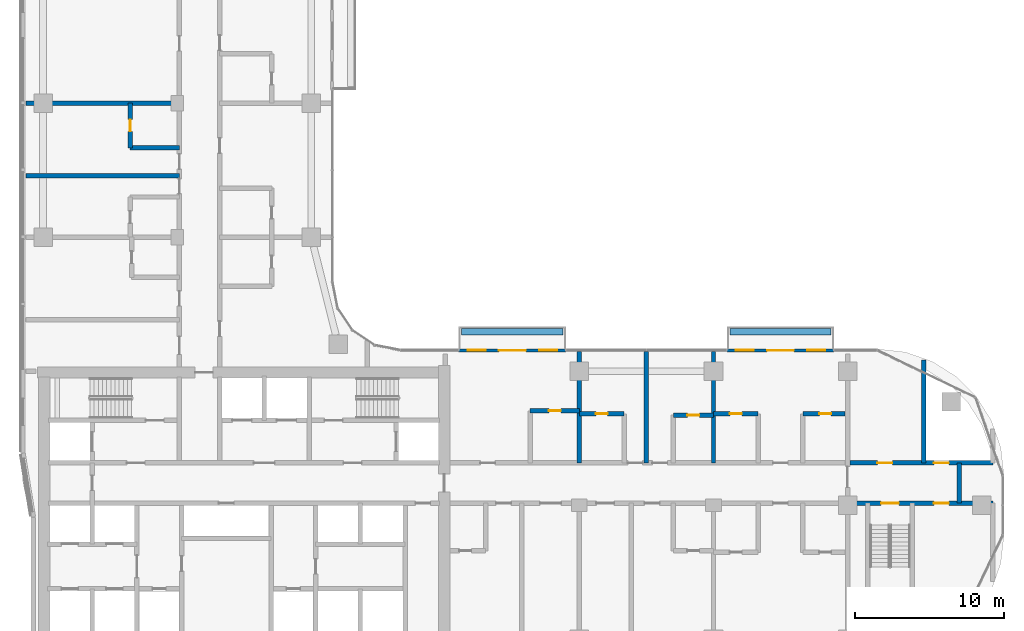
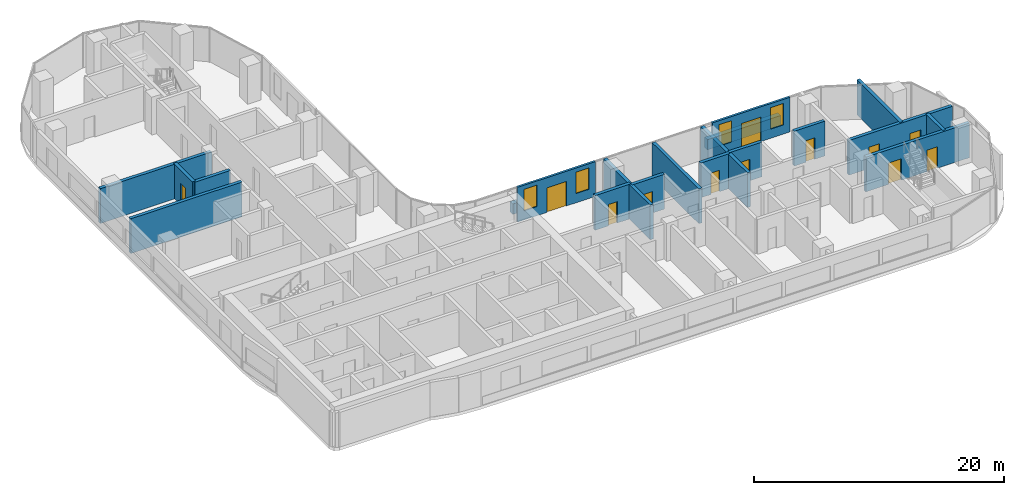
# One storey, part 10 of 21: 20 walls, 12 doors, 4 windows, 16 openings.
"""IFC4 building model written with IfcOpenShell, lengths in metres."""

from ifc_helpers import new_model, si_unit, direction, frame, frame_2d, origin, origin_2d, place, context, subcontext, project, spatial, rectangle, extrude, material, layer, layer_set, type_object, element, fill, save


model = new_model("IFC4")

# Units and contexts
model_context = context("Model", 3, precision=1e-05, world=origin(), true_north=direction((0.0, 1.0)))
body_context = subcontext(model_context, "Body", "Model", "MODEL_VIEW")
ifc_project = project(units=[si_unit("LENGTHUNIT", "METRE"), si_unit("AREAUNIT", "SQUARE_METRE"), si_unit("VOLUMEUNIT", "CUBIC_METRE"), si_unit("PLANEANGLEUNIT", "RADIAN"), si_unit("MASSUNIT", "GRAM", prefix="KILO")], contexts=[model_context])

# Site, building, storey
site_placement = place(None, origin())
site = spatial("IfcSite", under=ifc_project, at=site_placement, CompositionType="ELEMENT")
building_placement = place(site_placement, origin())
building = spatial("IfcBuilding", under=site, at=building_placement, Name="Ogive Portal Towers", CompositionType="ELEMENT")
storey_placement = place(building_placement, frame((0.0, 0.0, 109.300048828125)))
storey = spatial("IfcBuildingStorey", under=building, at=storey_placement, Name="L26", CompositionType="ELEMENT", Elevation=109.300048828125)

# Wall, openings, door, windows
ifc_material_1 = material(Name="Limestone cladding on lightweight block wall", Category="masonry")
ifc_layer_1 = layer(ifc_material_1, 0.199951171875)
ifc_layer_set_1 = layer_set([ifc_layer_1], Name="BALCONY BAY WALL 200")
wall_type_1 = type_object("IfcWallType", Name="BALCONY BAY WALL 200", PredefinedType="SOLIDWALL", material=ifc_layer_set_1)
wall_1_placement = place(storey_placement, frame((77.39990234375, 40.89990234375, 0.0), z_axis=(0.0, 0.0, 1.0), x_axis=(1.0, 0.0, 0.0)))
wall_1 = element("IfcWall", 1, at=wall_1_placement, inside=storey, type_object=wall_type_1, Name="A:L26:f12:bay0", PredefinedType="SOLIDWALL", context=body_context, shape_type="SweptSolid", body=[
    extrude(rectangle(XDim=7.2001953125, YDim=0.199951171875, at=frame_2d((3.60009765625, 0.0))), origin(), (0.0, 0.0, 1.0), 3.39990234375),
])
opening_1_placement = place(wall_1_placement, frame((2.699951171875, 0.0, 0.0)))
opening_1 = element("IfcOpeningElement", 2, at=opening_1_placement, cuts=wall_1, Name="Opening DX034", PredefinedType="OPENING", context=body_context, shape_type="SweptSolid", body=[
    extrude(rectangle(XDim=1.800048828125, YDim=2.39990234375, at=frame_2d((0.89990234375, 1.199951171875))), frame((0.0, 0.10986328125, 0.0), z_axis=(0.0, -1.0, 0.0), x_axis=(1.0, 0.0, 0.0)), (0.0, 0.0, 1.0), 0.219970703125),
])
opening_2_placement = place(wall_1_placement, frame((5.39990234375, 0.0, 0.89990234375)))
opening_2 = element("IfcOpeningElement", 3, at=opening_2_placement, cuts=wall_1, Name="Opening WN2", PredefinedType="OPENING", context=body_context, shape_type="SweptSolid", body=[
    extrude(rectangle(XDim=1.199951171875, YDim=2.10009765625, at=frame_2d((0.60009765625, 1.050048828125))), frame((0.0, 0.10986328125, 0.0), z_axis=(0.0, -1.0, 0.0), x_axis=(1.0, 0.0, 0.0)), (0.0, 0.0, 1.0), 0.219970703125),
])
opening_3_placement = place(wall_1_placement, frame((0.60009765625, 0.0, 0.89990234375)))
opening_3 = element("IfcOpeningElement", 4, at=opening_3_placement, cuts=wall_1, Name="Opening WN2", PredefinedType="OPENING", context=body_context, shape_type="SweptSolid", body=[
    extrude(rectangle(XDim=1.199951171875, YDim=2.10009765625, at=frame_2d((0.60009765625, 1.050048828125))), frame((0.0, 0.10986328125, 0.0), z_axis=(0.0, -1.0, 0.0), x_axis=(1.0, 0.0, 0.0)), (0.0, 0.0, 1.0), 0.219970703125),
])
ifc_material_2 = material(Name="Aluminium 6063 anodised", Category="aluminium")
door_type_1 = type_object("IfcDoorType", Name="BALCONY DOOR 1800x2400", OperationType="DOUBLE_DOOR_SINGLE_SWING", PredefinedType="DOOR", material=ifc_material_2)
door_1_placement = place(opening_1_placement, origin())
door_1 = element("IfcDoor", 5, at=door_1_placement, inside=storey, type_object=door_type_1, Name="A:L26:f12:bay0/o0", OperationType="SINGLE_SWING_LEFT", OverallHeight=2.39990234375, OverallWidth=1.800048828125, PredefinedType="DOOR", context=body_context, shape_type="SweptSolid", body=[
    extrude(rectangle(XDim=1.800048828125, YDim=2.39990234375, at=frame_2d((0.89990234375, 1.199951171875))), frame((0.0, 0.02490234375, 0.0), z_axis=(0.0, -1.0, 0.0), x_axis=(1.0, 0.0, 0.0)), (0.0, 0.0, 1.0), 0.050048828125),
])
fill(opening_1, door_1)
ifc_material_3 = material(Name="Glass, clear low-iron insulated glazing", Category="glass")
window_type = type_object("IfcWindowType", Name="WINDOW BALCONY BAY 1200x2100", PartitioningType="SINGLE_PANEL", PredefinedType="WINDOW", material=ifc_material_3)
window_1_placement = place(opening_2_placement, origin())
window_1 = element("IfcWindow", 6, at=window_1_placement, inside=storey, type_object=window_type, Name="A:L26:f12:bay0/o1", OverallHeight=2.10009765625, OverallWidth=1.199951171875, PartitioningType="SINGLE_PANEL", PredefinedType="WINDOW", context=body_context, shape_type="SweptSolid", body=[
    extrude(rectangle(XDim=1.199951171875, YDim=2.10009765625, at=frame_2d((0.60009765625, 1.050048828125))), frame((0.0, 0.030029296875, 0.0), z_axis=(0.0, -1.0, 0.0), x_axis=(1.0, 0.0, 0.0)), (0.0, 0.0, 1.0), 0.06005859375),
])
fill(opening_2, window_1)
window_2_placement = place(opening_3_placement, origin())
window_2 = element("IfcWindow", 7, at=window_2_placement, inside=storey, type_object=window_type, Name="A:L26:f12:bay0/o2", OverallHeight=2.10009765625, OverallWidth=1.199951171875, PartitioningType="SINGLE_PANEL", PredefinedType="WINDOW", context=body_context, shape_type="SweptSolid", body=[
    extrude(rectangle(XDim=1.199951171875, YDim=2.10009765625, at=frame_2d((0.60009765625, 1.050048828125))), frame((0.0, 0.030029296875, 0.0), z_axis=(0.0, -1.0, 0.0), x_axis=(1.0, 0.0, 0.0)), (0.0, 0.0, 1.0), 0.06005859375),
])
fill(opening_3, window_2)

wall_2_placement = place(storey_placement, frame((59.39990234375, 40.89990234375, 0.0), z_axis=(0.0, 0.0, 1.0), x_axis=(1.0, 0.0, 0.0)))
wall_2 = element("IfcWall", 8, at=wall_2_placement, inside=storey, type_object=wall_type_1, Name="A:L26:f12:bay1", PredefinedType="SOLIDWALL", context=body_context, shape_type="SweptSolid", body=[
    extrude(rectangle(XDim=7.2001953125, YDim=0.199951171875, at=frame_2d((3.60009765625, 0.0))), origin(), (0.0, 0.0, 1.0), 3.39990234375),
])
opening_4_placement = place(wall_2_placement, frame((2.699951171875, 0.0, 0.0)))
opening_4 = element("IfcOpeningElement", 9, at=opening_4_placement, cuts=wall_2, Name="Opening DX035", PredefinedType="OPENING", context=body_context, shape_type="SweptSolid", body=[
    extrude(rectangle(XDim=1.800048828125, YDim=2.39990234375, at=frame_2d((0.89990234375, 1.199951171875))), frame((0.0, 0.10986328125, 0.0), z_axis=(0.0, -1.0, 0.0), x_axis=(1.0, 0.0, 0.0)), (0.0, 0.0, 1.0), 0.219970703125),
])
opening_5_placement = place(wall_2_placement, frame((5.39990234375, 0.0, 0.89990234375)))
opening_5 = element("IfcOpeningElement", 10, at=opening_5_placement, cuts=wall_2, Name="Opening WN2", PredefinedType="OPENING", context=body_context, shape_type="SweptSolid", body=[
    extrude(rectangle(XDim=1.199951171875, YDim=2.10009765625, at=frame_2d((0.60009765625, 1.050048828125))), frame((0.0, 0.10986328125, 0.0), z_axis=(0.0, -1.0, 0.0), x_axis=(1.0, 0.0, 0.0)), (0.0, 0.0, 1.0), 0.219970703125),
])
opening_6_placement = place(wall_2_placement, frame((0.60009765625, 0.0, 0.89990234375)))
opening_6 = element("IfcOpeningElement", 11, at=opening_6_placement, cuts=wall_2, Name="Opening WN2", PredefinedType="OPENING", context=body_context, shape_type="SweptSolid", body=[
    extrude(rectangle(XDim=1.199951171875, YDim=2.10009765625, at=frame_2d((0.60009765625, 1.050048828125))), frame((0.0, 0.10986328125, 0.0), z_axis=(0.0, -1.0, 0.0), x_axis=(1.0, 0.0, 0.0)), (0.0, 0.0, 1.0), 0.219970703125),
])
door_2_placement = place(opening_4_placement, origin())
door_2 = element("IfcDoor", 12, at=door_2_placement, inside=storey, type_object=door_type_1, Name="A:L26:f12:bay1/o0", OperationType="SINGLE_SWING_LEFT", OverallHeight=2.39990234375, OverallWidth=1.800048828125, PredefinedType="DOOR", context=body_context, shape_type="SweptSolid", body=[
    extrude(rectangle(XDim=1.800048828125, YDim=2.39990234375, at=frame_2d((0.89990234375, 1.199951171875))), frame((0.0, 0.02490234375, 0.0), z_axis=(0.0, -1.0, 0.0), x_axis=(1.0, 0.0, 0.0)), (0.0, 0.0, 1.0), 0.050048828125),
])
fill(opening_4, door_2)
window_3_placement = place(opening_5_placement, origin())
window_3 = element("IfcWindow", 13, at=window_3_placement, inside=storey, type_object=window_type, Name="A:L26:f12:bay1/o1", OverallHeight=2.10009765625, OverallWidth=1.199951171875, PartitioningType="SINGLE_PANEL", PredefinedType="WINDOW", context=body_context, shape_type="SweptSolid", body=[
    extrude(rectangle(XDim=1.199951171875, YDim=2.10009765625, at=frame_2d((0.60009765625, 1.050048828125))), frame((0.0, 0.030029296875, 0.0), z_axis=(0.0, -1.0, 0.0), x_axis=(1.0, 0.0, 0.0)), (0.0, 0.0, 1.0), 0.06005859375),
])
fill(opening_5, window_3)
window_4_placement = place(opening_6_placement, origin())
window_4 = element("IfcWindow", 14, at=window_4_placement, inside=storey, type_object=window_type, Name="A:L26:f12:bay1/o2", OverallHeight=2.10009765625, OverallWidth=1.199951171875, PartitioningType="SINGLE_PANEL", PredefinedType="WINDOW", context=body_context, shape_type="SweptSolid", body=[
    extrude(rectangle(XDim=1.199951171875, YDim=2.10009765625, at=frame_2d((0.60009765625, 1.050048828125))), frame((0.0, 0.030029296875, 0.0), z_axis=(0.0, -1.0, 0.0), x_axis=(1.0, 0.0, 0.0)), (0.0, 0.0, 1.0), 0.06005859375),
])
fill(opening_6, window_4)

# Walls
ifc_material_4 = material(Name="Concrete C40/50", Category="concrete")
ifc_layer_2 = layer(ifc_material_4, 0.449951171875)
ifc_layer_set_2 = layer_set([ifc_layer_2], Name="PLANTER WALL 450")
wall_type_2 = type_object("IfcWallType", Name="PLANTER WALL 450", PredefinedType="SOLIDWALL", material=ifc_layer_set_2)
for number, where, z_axis, x_axis, name in (
    (15, (63.0, 42.155029296875, 0.0), (0.0, 0.0, 1.0), (1.0, 0.0, 0.0), "Planter T1"),
    (16, (81.0, 42.155029296875, 0.0), (0.0, 0.0, 1.0), (1.0, 0.0, 0.0), "Planter T3"),
):
    element("IfcWall", number, at=place(storey_placement, frame(where, z_axis=z_axis, x_axis=x_axis)), inside=storey, type_object=wall_type_2, Name=name, PredefinedType="SOLIDWALL", context=body_context, shape_type="SweptSolid", body=[
        extrude(rectangle(XDim=6.800048828125, YDim=0.449951171875, at=origin_2d()), origin(), (0.0, 0.0, 1.0), 1.0),
    ])

# Wall, openings, doors
ifc_material_5 = material(Name="Concrete C50/60", Category="concrete")
ifc_layer_3 = layer(ifc_material_5, 0.300048828125)
ifc_layer_set_3 = layer_set([ifc_layer_3], Name="STAIR WALL 300 C50")
wall_type_3 = type_object("IfcWallType", Name="STAIR WALL 300 C50", PredefinedType="SHEAR", material=ifc_layer_set_3)
wall_3_placement = place(storey_placement, frame((85.669921875, 30.64990234375, 0.0), z_axis=(0.0, 0.0, 1.0), x_axis=(1.0, 0.0, 0.0)))
wall_3 = element("IfcWall", 17, at=wall_3_placement, inside=storey, type_object=wall_type_3, Name="Stair wall ST-A4 L26", PredefinedType="SHEAR", context=body_context, shape_type="SweptSolid", body=[
    extrude(rectangle(XDim=9.580078125, YDim=0.300048828125, at=frame_2d((4.7900390625, 0.0))), origin(), (0.0, 0.0, 1.0), 3.39990234375),
])
opening_7_placement = place(wall_3_placement, frame((2.080078125, 0.0, 0.0)))
opening_7 = element("IfcOpeningElement", 18, at=opening_7_placement, cuts=wall_3, Name="Opening D09-058", PredefinedType="OPENING", context=body_context, shape_type="SweptSolid", body=[
    extrude(rectangle(XDim=1.199951171875, YDim=2.10009765625, at=frame_2d((0.60009765625, 1.050048828125))), frame((0.0, 0.16015625, 0.0), z_axis=(0.0, -1.0, 0.0), x_axis=(1.0, 0.0, 0.0)), (0.0, 0.0, 1.0), 0.320068359375),
])
opening_8_placement = place(wall_3_placement, frame((5.6298828125, 0.0, 0.0)))
opening_8 = element("IfcOpeningElement", 19, at=opening_8_placement, cuts=wall_3, Name="Opening D09-061", PredefinedType="OPENING", context=body_context, shape_type="SweptSolid", body=[
    extrude(rectangle(XDim=1.0, YDim=2.10009765625, at=frame_2d((0.5, 1.050048828125))), frame((0.0, 0.16015625, 0.0), z_axis=(0.0, -1.0, 0.0), x_axis=(1.0, 0.0, 0.0)), (0.0, 0.0, 1.0), 0.320068359375),
])
ifc_material_6 = material(Name="Steel fire door", Category="steel")
door_type_2 = type_object("IfcDoorType", Name="DT-SERVICE-1000x2100-FD90S", OperationType="SINGLE_SWING_LEFT", PredefinedType="DOOR", material=ifc_material_6)
door_3_placement = place(opening_8_placement, origin())
door_3 = element("IfcDoor", 20, at=door_3_placement, inside=storey, type_object=door_type_2, Name="Door D09-061", OperationType="SINGLE_SWING_LEFT", OverallHeight=2.10009765625, OverallWidth=1.0, PredefinedType="DOOR", context=body_context, shape_type="SweptSolid", body=[
    extrude(rectangle(XDim=1.0, YDim=2.10009765625, at=frame_2d((0.5, 1.050048828125))), frame((0.0, 0.02490234375, 0.0), z_axis=(0.0, -1.0, 0.0), x_axis=(1.0, 0.0, 0.0)), (0.0, 0.0, 1.0), 0.050048828125),
])
fill(opening_8, door_3)
door_type_3 = type_object("IfcDoorType", Name="DT-STAIR-1200x2100-FD90S", OperationType="SINGLE_SWING_LEFT", PredefinedType="DOOR", material=ifc_material_6)
door_4_placement = place(opening_7_placement, origin())
door_4 = element("IfcDoor", 21, at=door_4_placement, inside=storey, type_object=door_type_3, Name="Door D09-058", OperationType="SINGLE_SWING_LEFT", OverallHeight=2.10009765625, OverallWidth=1.199951171875, PredefinedType="DOOR", context=body_context, shape_type="SweptSolid", body=[
    extrude(rectangle(XDim=1.199951171875, YDim=2.10009765625, at=frame_2d((0.60009765625, 1.050048828125))), frame((0.0, 0.02490234375, 0.0), z_axis=(0.0, -1.0, 0.0), x_axis=(1.0, 0.0, 0.0)), (0.0, 0.0, 1.0), 0.050048828125),
])
fill(opening_7, door_4)

ifc_material_7 = material(Name="Gypsum board partition on steel studs", Category="steel")
ifc_layer_4 = layer(ifc_material_7, 0.300048828125)
ifc_layer_set_4 = layer_set([ifc_layer_4], Name="WT-PART-300-EI 120")
wall_type_4 = type_object("IfcWallType", Name="WT-PART-300-EI 120", PredefinedType="PARTITIONING", material=ifc_layer_set_4)
wall_4_placement = place(storey_placement, frame((85.669921875, 33.35009765625, 0.0), z_axis=(0.0, 0.0, 1.0), x_axis=(1.0, 0.0, 0.0)))
wall_4 = element("IfcWall", 22, at=wall_4_placement, inside=storey, type_object=wall_type_4, Name="Wall L26:w009", PredefinedType="PARTITIONING", context=body_context, shape_type="SweptSolid", body=[
    extrude(rectangle(XDim=9.580078125, YDim=0.300048828125, at=frame_2d((4.7900390625, 0.0))), origin(), (0.0, 0.0, 1.0), 3.39990234375),
])
opening_9_placement = place(wall_4_placement, frame((1.830078125, 0.0, 0.0)))
opening_9 = element("IfcOpeningElement", 23, at=opening_9_placement, cuts=wall_4, Name="Opening D09-059", PredefinedType="OPENING", context=body_context, shape_type="SweptSolid", body=[
    extrude(rectangle(XDim=1.0, YDim=2.10009765625, at=frame_2d((0.5, 1.050048828125))), frame((0.0, 0.16015625, 0.0), z_axis=(0.0, -1.0, 0.0), x_axis=(1.0, 0.0, 0.0)), (0.0, 0.0, 1.0), 0.320068359375),
])
opening_10_placement = place(wall_4_placement, frame((5.6298828125, 0.0, 0.0)))
opening_10 = element("IfcOpeningElement", 24, at=opening_10_placement, cuts=wall_4, Name="Opening D09-060", PredefinedType="OPENING", context=body_context, shape_type="SweptSolid", body=[
    extrude(rectangle(XDim=1.0, YDim=2.10009765625, at=frame_2d((0.5, 1.050048828125))), frame((0.0, 0.16015625, 0.0), z_axis=(0.0, -1.0, 0.0), x_axis=(1.0, 0.0, 0.0)), (0.0, 0.0, 1.0), 0.320068359375),
])
door_5_placement = place(opening_9_placement, origin())
door_5 = element("IfcDoor", 25, at=door_5_placement, inside=storey, type_object=door_type_2, Name="Door D09-059", OperationType="SINGLE_SWING_LEFT", OverallHeight=2.10009765625, OverallWidth=1.0, PredefinedType="DOOR", context=body_context, shape_type="SweptSolid", body=[
    extrude(rectangle(XDim=1.0, YDim=2.10009765625, at=frame_2d((0.5, 1.050048828125))), frame((0.0, 0.02490234375, 0.0), z_axis=(0.0, -1.0, 0.0), x_axis=(1.0, 0.0, 0.0)), (0.0, 0.0, 1.0), 0.050048828125),
])
fill(opening_9, door_5)
door_6_placement = place(opening_10_placement, origin())
door_6 = element("IfcDoor", 26, at=door_6_placement, inside=storey, type_object=door_type_2, Name="Riser access door D09-060", OperationType="SINGLE_SWING_RIGHT", OverallHeight=2.10009765625, OverallWidth=1.0, PredefinedType="DOOR", context=body_context, shape_type="SweptSolid", body=[
    extrude(rectangle(XDim=1.0, YDim=2.10009765625, at=frame_2d((0.5, 1.050048828125))), frame((0.0, 0.02490234375, 0.0), z_axis=(0.0, -1.0, 0.0), x_axis=(1.0, 0.0, 0.0)), (0.0, 0.0, 1.0), 0.050048828125),
])
fill(opening_10, door_6)

# Wall
wall_5_placement = place(storey_placement, frame((93.0, 30.64990234375, 0.0), z_axis=(0.0, 0.0, 1.0), x_axis=(0.0, 1.0, 0.0)))
element("IfcWall", 27, at=wall_5_placement, inside=storey, type_object=wall_type_4, Name="Wall L26:w065", PredefinedType="PARTITIONING", context=body_context, shape_type="SweptSolid", body=[
    extrude(rectangle(XDim=2.7001953125, YDim=0.300048828125, at=frame_2d((1.35009765625, 0.0))), origin(), (0.0, 0.0, 1.0), 3.39990234375),
])

# Wall, opening, door
ifc_layer_5 = layer(ifc_material_7, 0.300048828125)
ifc_layer_set_5 = layer_set([ifc_layer_5], Name="WT-PART-300-EI 60")
wall_type_5 = type_object("IfcWallType", Name="WT-PART-300-EI 60", PredefinedType="PARTITIONING", material=ifc_layer_set_5)
wall_6_placement = place(storey_placement, frame((73.800048828125, 36.550048828125, 0.0), z_axis=(0.0, 0.0, 1.0), x_axis=(1.0, 0.0, 0.0)))
wall_6 = element("IfcWall", 28, at=wall_6_placement, inside=storey, type_object=wall_type_5, Name="Wall L26:w010", PredefinedType="PARTITIONING", context=body_context, shape_type="SweptSolid", body=[
    extrude(rectangle(XDim=2.699951171875, YDim=0.300048828125, at=frame_2d((1.35009765625, 0.0))), origin(), (0.0, 0.0, 1.0), 3.39990234375),
])
opening_11_placement = place(wall_6_placement, frame((0.949951171875, 0.0, 0.0)))
opening_11 = element("IfcOpeningElement", 29, at=opening_11_placement, cuts=wall_6, Name="Opening D09-031", PredefinedType="OPENING", context=body_context, shape_type="SweptSolid", body=[
    extrude(rectangle(XDim=0.800048828125, YDim=2.10009765625, at=frame_2d((0.39990234375, 1.050048828125))), frame((0.0, 0.16015625, 0.0), z_axis=(0.0, -1.0, 0.0), x_axis=(1.0, 0.0, 0.0)), (0.0, 0.0, 1.0), 0.320068359375),
])
door_type_4 = type_object("IfcDoorType", Name="DT-BATH-800x2100-FD60S", OperationType="SINGLE_SWING_LEFT", PredefinedType="DOOR", material=ifc_material_6)
door_7_placement = place(opening_11_placement, origin())
door_7 = element("IfcDoor", 30, at=door_7_placement, inside=storey, type_object=door_type_4, Name="Door D09-031", OperationType="SINGLE_SWING_RIGHT", OverallHeight=2.10009765625, OverallWidth=0.800048828125, PredefinedType="DOOR", context=body_context, shape_type="SweptSolid", body=[
    extrude(rectangle(XDim=0.800048828125, YDim=2.10009765625, at=frame_2d((0.39990234375, 1.050048828125))), frame((0.0, 0.02490234375, 0.0), z_axis=(0.0, -1.0, 0.0), x_axis=(1.0, 0.0, 0.0)), (0.0, 0.0, 1.0), 0.050048828125),
])
fill(opening_11, door_7)

wall_7_placement = place(storey_placement, frame((67.5, 36.64990234375, 0.0), z_axis=(0.0, 0.0, 1.0), x_axis=(1.0, 0.0, 0.0)))
wall_7 = element("IfcWall", 31, at=wall_7_placement, inside=storey, type_object=wall_type_5, Name="Wall L26:w011", PredefinedType="PARTITIONING", context=body_context, shape_type="SweptSolid", body=[
    extrude(rectangle(XDim=3.0, YDim=0.300048828125, at=frame_2d((1.5, 0.0))), origin(), (0.0, 0.0, 1.0), 3.39990234375),
])
opening_12_placement = place(wall_7_placement, frame((1.10009765625, 0.0, 0.0)))
opening_12 = element("IfcOpeningElement", 32, at=opening_12_placement, cuts=wall_7, Name="Opening D09-029", PredefinedType="OPENING", context=body_context, shape_type="SweptSolid", body=[
    extrude(rectangle(XDim=0.800048828125, YDim=2.10009765625, at=frame_2d((0.39990234375, 1.050048828125))), frame((0.0, 0.16015625, 0.0), z_axis=(0.0, -1.0, 0.0), x_axis=(1.0, 0.0, 0.0)), (0.0, 0.0, 1.0), 0.320068359375),
])
door_8_placement = place(opening_12_placement, origin())
door_8 = element("IfcDoor", 33, at=door_8_placement, inside=storey, type_object=door_type_4, Name="Door D09-029", OperationType="SINGLE_SWING_LEFT", OverallHeight=2.10009765625, OverallWidth=0.800048828125, PredefinedType="DOOR", context=body_context, shape_type="SweptSolid", body=[
    extrude(rectangle(XDim=0.800048828125, YDim=2.10009765625, at=frame_2d((0.39990234375, 1.050048828125))), frame((0.0, 0.02490234375, 0.0), z_axis=(0.0, -1.0, 0.0), x_axis=(1.0, 0.0, 0.0)), (0.0, 0.0, 1.0), 0.050048828125),
])
fill(opening_12, door_8)

wall_8_placement = place(storey_placement, frame((76.5, 36.64990234375, 0.0), z_axis=(0.0, 0.0, 1.0), x_axis=(1.0, 0.0, 0.0)))
wall_8 = element("IfcWall", 34, at=wall_8_placement, inside=storey, type_object=wall_type_5, Name="Wall L26:w012", PredefinedType="PARTITIONING", context=body_context, shape_type="SweptSolid", body=[
    extrude(rectangle(XDim=3.0, YDim=0.300048828125, at=frame_2d((1.5, 0.0))), origin(), (0.0, 0.0, 1.0), 3.39990234375),
])
opening_13_placement = place(wall_8_placement, frame((1.10009765625, 0.0, 0.0)))
opening_13 = element("IfcOpeningElement", 35, at=opening_13_placement, cuts=wall_8, Name="Opening D09-036", PredefinedType="OPENING", context=body_context, shape_type="SweptSolid", body=[
    extrude(rectangle(XDim=0.800048828125, YDim=2.10009765625, at=frame_2d((0.39990234375, 1.050048828125))), frame((0.0, 0.16015625, 0.0), z_axis=(0.0, -1.0, 0.0), x_axis=(1.0, 0.0, 0.0)), (0.0, 0.0, 1.0), 0.320068359375),
])
door_9_placement = place(opening_13_placement, origin())
door_9 = element("IfcDoor", 36, at=door_9_placement, inside=storey, type_object=door_type_4, Name="Door D09-036", OperationType="SINGLE_SWING_LEFT", OverallHeight=2.10009765625, OverallWidth=0.800048828125, PredefinedType="DOOR", context=body_context, shape_type="SweptSolid", body=[
    extrude(rectangle(XDim=0.800048828125, YDim=2.10009765625, at=frame_2d((0.39990234375, 1.050048828125))), frame((0.0, 0.02490234375, 0.0), z_axis=(0.0, -1.0, 0.0), x_axis=(1.0, 0.0, 0.0)), (0.0, 0.0, 1.0), 0.050048828125),
])
fill(opening_13, door_9)

wall_9_placement = place(storey_placement, frame((82.5, 36.64990234375, 0.0), z_axis=(0.0, 0.0, 1.0), x_axis=(1.0, 0.0, 0.0)))
wall_9 = element("IfcWall", 37, at=wall_9_placement, inside=storey, type_object=wall_type_5, Name="Wall L26:w013", PredefinedType="PARTITIONING", context=body_context, shape_type="SweptSolid", body=[
    extrude(rectangle(XDim=2.830078125, YDim=0.300048828125, at=frame_2d((1.4150390625, 0.0))), origin(), (0.0, 0.0, 1.0), 3.39990234375),
])
opening_14_placement = place(wall_9_placement, frame((1.10009765625, 0.0, 0.0)))
opening_14 = element("IfcOpeningElement", 38, at=opening_14_placement, cuts=wall_9, Name="Opening D09-037", PredefinedType="OPENING", context=body_context, shape_type="SweptSolid", body=[
    extrude(rectangle(XDim=0.800048828125, YDim=2.10009765625, at=frame_2d((0.39990234375, 1.050048828125))), frame((0.0, 0.16015625, 0.0), z_axis=(0.0, -1.0, 0.0), x_axis=(1.0, 0.0, 0.0)), (0.0, 0.0, 1.0), 0.320068359375),
])
door_10_placement = place(opening_14_placement, origin())
door_10 = element("IfcDoor", 39, at=door_10_placement, inside=storey, type_object=door_type_4, Name="Door D09-037", OperationType="SINGLE_SWING_RIGHT", OverallHeight=2.10009765625, OverallWidth=0.800048828125, PredefinedType="DOOR", context=body_context, shape_type="SweptSolid", body=[
    extrude(rectangle(XDim=0.800048828125, YDim=2.10009765625, at=frame_2d((0.39990234375, 1.050048828125))), frame((0.0, 0.02490234375, 0.0), z_axis=(0.0, -1.0, 0.0), x_axis=(1.0, 0.0, 0.0)), (0.0, 0.0, 1.0), 0.050048828125),
])
fill(opening_14, door_10)

wall_10_placement = place(storey_placement, frame((64.199951171875, 36.85009765625, 0.0), z_axis=(0.0, 0.0, 1.0), x_axis=(1.0, 0.0, 0.0)))
wall_10 = element("IfcWall", 40, at=wall_10_placement, inside=storey, type_object=wall_type_5, Name="Wall L26:w014", PredefinedType="PARTITIONING", context=body_context, shape_type="SweptSolid", body=[
    extrude(rectangle(XDim=3.300048828125, YDim=0.300048828125, at=frame_2d((1.64990234375, 0.0))), origin(), (0.0, 0.0, 1.0), 3.39990234375),
])
opening_15_placement = place(wall_10_placement, frame((1.25, 0.0, 0.0)))
opening_15 = element("IfcOpeningElement", 41, at=opening_15_placement, cuts=wall_10, Name="Opening D09-024", PredefinedType="OPENING", context=body_context, shape_type="SweptSolid", body=[
    extrude(rectangle(XDim=0.800048828125, YDim=2.10009765625, at=frame_2d((0.39990234375, 1.050048828125))), frame((0.0, 0.16015625, 0.0), z_axis=(0.0, -1.0, 0.0), x_axis=(1.0, 0.0, 0.0)), (0.0, 0.0, 1.0), 0.320068359375),
])
door_11_placement = place(opening_15_placement, origin())
door_11 = element("IfcDoor", 42, at=door_11_placement, inside=storey, type_object=door_type_4, Name="Door D09-024", OperationType="SINGLE_SWING_LEFT", OverallHeight=2.10009765625, OverallWidth=0.800048828125, PredefinedType="DOOR", context=body_context, shape_type="SweptSolid", body=[
    extrude(rectangle(XDim=0.800048828125, YDim=2.10009765625, at=frame_2d((0.39990234375, 1.050048828125))), frame((0.0, 0.02490234375, 0.0), z_axis=(0.0, -1.0, 0.0), x_axis=(1.0, 0.0, 0.0)), (0.0, 0.0, 1.0), 0.050048828125),
])
fill(opening_15, door_11)

# Walls
wall_11_placement = place(storey_placement, frame((30.35009765625, 52.639892578125, 0.0), z_axis=(0.0, 0.0, 1.0), x_axis=(1.0, 0.0, 0.0)))
element("IfcWall", 43, at=wall_11_placement, inside=storey, type_object=wall_type_5, Name="Wall L26:w023", PredefinedType="PARTITIONING", context=body_context, shape_type="SweptSolid", body=[
    extrude(rectangle(XDim=10.2998046875, YDim=0.300048828125, at=frame_2d((5.14990234375, 0.0))), origin(), (0.0, 0.0, 1.0), 3.39990234375),
])
wall_12_placement = place(storey_placement, frame((37.35009765625, 54.5, 0.0), z_axis=(0.0, 0.0, 1.0), x_axis=(1.0, 0.0, 0.0)))
element("IfcWall", 44, at=wall_12_placement, inside=storey, type_object=wall_type_5, Name="Wall L26:w024", PredefinedType="PARTITIONING", context=body_context, shape_type="SweptSolid", body=[
    extrude(rectangle(XDim=3.2998046875, YDim=0.300048828125, at=frame_2d((1.64990234375, 0.0))), origin(), (0.0, 0.0, 1.0), 3.39990234375),
])
wall_13_placement = place(storey_placement, frame((30.35009765625, 57.5, 0.0), z_axis=(0.0, 0.0, 1.0), x_axis=(1.0, 0.0, 0.0)))
element("IfcWall", 45, at=wall_13_placement, inside=storey, type_object=wall_type_5, Name="Wall L26:w025", PredefinedType="PARTITIONING", context=body_context, shape_type="SweptSolid", body=[
    extrude(rectangle(XDim=10.2998046875, YDim=0.300048828125, at=frame_2d((5.14990234375, 0.0))), origin(), (0.0, 0.0, 1.0), 3.39990234375),
])

# Wall, opening, door
wall_14_placement = place(storey_placement, frame((37.35009765625, 54.5, 0.0), z_axis=(0.0, 0.0, 1.0), x_axis=(0.0, 1.0, 0.0)))
wall_14 = element("IfcWall", 46, at=wall_14_placement, inside=storey, type_object=wall_type_5, Name="Wall L26:w034", PredefinedType="PARTITIONING", context=body_context, shape_type="SweptSolid", body=[
    extrude(rectangle(XDim=3.0, YDim=0.300048828125, at=frame_2d((1.5, 0.0))), origin(), (0.0, 0.0, 1.0), 3.39990234375),
])
opening_16_placement = place(wall_14_placement, frame((1.10009765625, 0.0, 0.0)))
opening_16 = element("IfcOpeningElement", 47, at=opening_16_placement, cuts=wall_14, Name="Opening D09-051", PredefinedType="OPENING", context=body_context, shape_type="SweptSolid", body=[
    extrude(rectangle(XDim=0.800048828125, YDim=2.10009765625, at=frame_2d((0.39990234375, 1.050048828125))), frame((0.0, 0.16015625, 0.0), z_axis=(0.0, -1.0, 0.0), x_axis=(1.0, 0.0, 0.0)), (0.0, 0.0, 1.0), 0.320068359375),
])
door_12_placement = place(opening_16_placement, origin())
door_12 = element("IfcDoor", 48, at=door_12_placement, inside=storey, type_object=door_type_4, Name="Door D09-051", OperationType="SINGLE_SWING_LEFT", OverallHeight=2.10009765625, OverallWidth=0.800048828125, PredefinedType="DOOR", context=body_context, shape_type="SweptSolid", body=[
    extrude(rectangle(XDim=0.800048828125, YDim=2.10009765625, at=frame_2d((0.39990234375, 1.050048828125))), frame((0.0, 0.02490234375, 0.0), z_axis=(0.0, -1.0, 0.0), x_axis=(1.0, 0.0, 0.0)), (0.0, 0.0, 1.0), 0.050048828125),
])
fill(opening_16, door_12)

# Walls
for number, where, z_axis, x_axis, name in (
    (49, (67.5, 33.35009765625, 0.0), (0.0, 0.0, 1.0), (0.0, 1.0, 0.0), "Wall L26:w050"),
    (50, (72.0, 33.35009765625, 0.0), (0.0, 0.0, 1.0), (0.0, 1.0, 0.0), "Wall L26:w053"),
    (51, (76.5, 33.35009765625, 0.0), (0.0, 0.0, 1.0), (0.0, 1.0, 0.0), "Wall L26:w057"),
):
    element("IfcWall", number, at=place(storey_placement, frame(where, z_axis=z_axis, x_axis=x_axis)), inside=storey, type_object=wall_type_5, Name=name, PredefinedType="PARTITIONING", context=body_context, shape_type="SweptSolid", body=[
        extrude(rectangle(XDim=7.47998046875, YDim=0.300048828125, at=frame_2d((3.739990234375, 0.0))), origin(), (0.0, 0.0, 1.0), 3.39990234375),
    ])
wall_15_placement = place(storey_placement, frame((90.60009765625, 33.35009765625, 0.0), z_axis=(0.0, 0.0, 1.0), x_axis=(0.0, 1.0, 0.0)))
element("IfcWall", 52, at=wall_15_placement, inside=storey, type_object=wall_type_5, Name="Wall L26:w064", PredefinedType="PARTITIONING", context=body_context, shape_type="SweptSolid", body=[
    extrude(rectangle(XDim=6.89794921875, YDim=0.300048828125, at=frame_2d((3.448974609375, 0.0))), origin(), (0.0, 0.0, 1.0), 3.39990234375),
])

save(model, "model.ifc")
